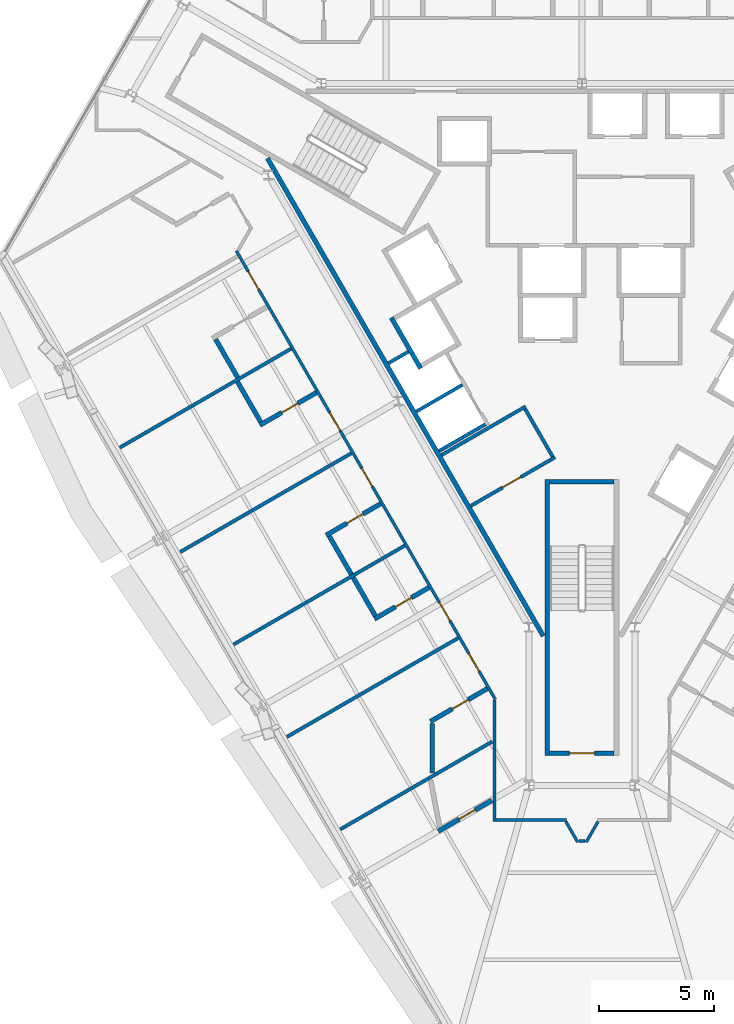
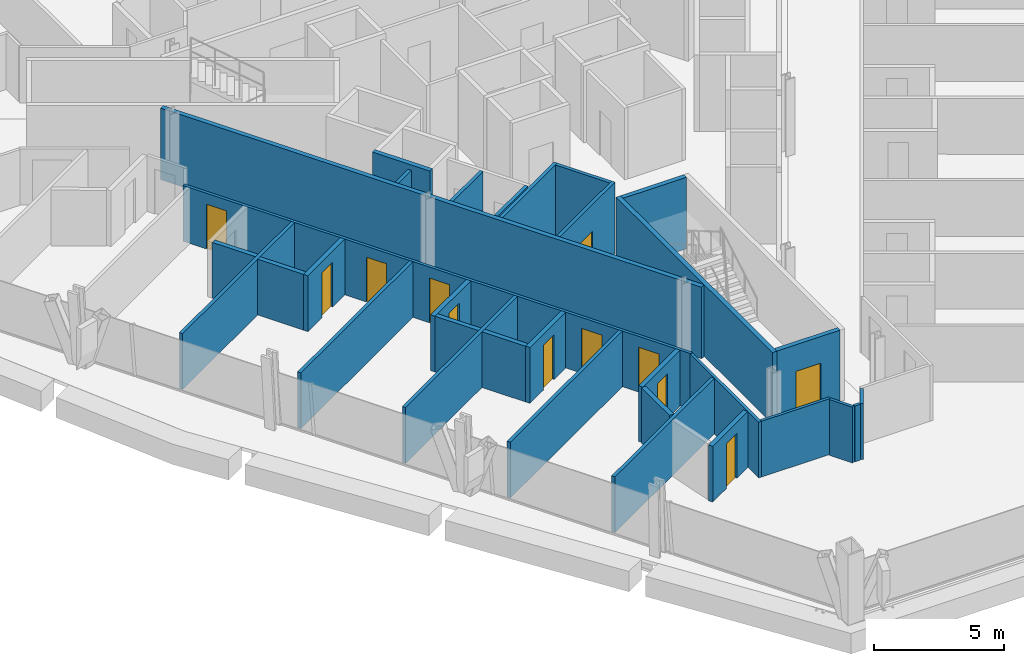
# One storey, part 10 of 17: 32 walls, 12 doors, 12 openings.
"""IFC4 building model written with IfcOpenShell, lengths in metres."""

from ifc_helpers import new_model, si_unit, direction, frame, frame_2d, origin, place, context, subcontext, project, spatial, rectangle, extrude, material, layer, layer_set, type_object, element, fill, save


model = new_model("IFC4")

# Units and contexts
model_context = context("Model", 3, precision=1e-05, world=origin(), true_north=direction((0.0, 1.0)))
body_context = subcontext(model_context, "Body", "Model", "MODEL_VIEW")
ifc_project = project(units=[si_unit("LENGTHUNIT", "METRE"), si_unit("AREAUNIT", "SQUARE_METRE"), si_unit("VOLUMEUNIT", "CUBIC_METRE"), si_unit("PLANEANGLEUNIT", "RADIAN"), si_unit("MASSUNIT", "GRAM", prefix="KILO")], contexts=[model_context])

# Site, building, storey
site_placement = place(None, origin())
site = spatial("IfcSite", under=ifc_project, at=site_placement, CompositionType="ELEMENT")
building_placement = place(site_placement, origin())
building = spatial("IfcBuilding", under=site, at=building_placement, Name="Verrane Prism Tower", CompositionType="ELEMENT")
storey_placement = place(building_placement, frame((0.0, 0.0, 62.0)))
storey = spatial("IfcBuildingStorey", under=building, at=storey_placement, Name="L13", CompositionType="ELEMENT", Elevation=62.0)

# Wall
ifc_material_1 = material(Name="Gypsum board partition", Category="other")
ifc_layer_1 = layer(ifc_material_1, 0.199951171875)
ifc_layer_set_1 = layer_set([ifc_layer_1], Name="CW-200 core boundary wall 2 h")
wall_type_1 = type_object("IfcWallType", Name="CW-200 core boundary wall 2 h", PredefinedType="PARTITIONING", material=ifc_layer_set_1)
wall_1_placement = place(storey_placement, frame((-13.66357421875, 5.946044921875, 0.0), z_axis=(0.0, 0.0, 1.0), x_axis=(0.499994327219, -0.866028678941, 0.0)))
element("IfcWall", 1, at=wall_1_placement, inside=storey, type_object=wall_type_1, Name="Core boundary wall CW3-001", PredefinedType="PARTITIONING", context=body_context, shape_type="SweptSolid", body=[
    extrude(rectangle(XDim=23.967529296875, YDim=0.199951171875, at=frame_2d((11.98388671875, 0.0))), origin(), (0.0, 0.0, 1.0), 3.35009765625),
])

# Wall, opening, door
ifc_material_2 = material(Name="Concrete C40/50", Category="concrete")
ifc_layer_2 = layer(ifc_material_2, 0.199951171875)
ifc_layer_set_2 = layer_set([ifc_layer_2], Name="CW-200 stair core wall concrete C40/50 3 h")
wall_type_2 = type_object("IfcWallType", Name="CW-200 stair core wall concrete C40/50 3 h", PredefinedType="PARTITIONING", material=ifc_layer_set_2)
wall_2_placement = place(storey_placement, frame((-1.39990234375, -19.89990234375, 0.0), z_axis=(0.0, 0.0, 1.0), x_axis=(1.0, 0.0, 0.0)))
wall_2 = element("IfcWall", 2, at=wall_2_placement, inside=storey, type_object=wall_type_2, Name="Stair 3 enclosure wall", PredefinedType="PARTITIONING", context=body_context, shape_type="SweptSolid", body=[
    extrude(rectangle(XDim=2.7998046875, YDim=0.199951171875, at=frame_2d((1.39990234375, 0.0))), origin(), (0.0, 0.0, 1.0), 3.35009765625),
])
opening_1_placement = place(wall_2_placement, frame((0.85009765625, 0.0, 0.0)))
opening_1 = element("IfcOpeningElement", 3, at=opening_1_placement, cuts=wall_2, Name="Opening D12502", PredefinedType="OPENING", context=body_context, shape_type="SweptSolid", body=[
    extrude(rectangle(XDim=1.10009765625, YDim=2.10009765625, at=frame_2d((0.550048828125, 1.050048828125))), frame((0.0, 0.10986328125, 0.0), z_axis=(0.0, -1.0, 0.0), x_axis=(1.0, 0.0, 0.0)), (0.0, 0.0, 1.0), 0.219970703125),
])
ifc_material_3 = material(Name="Timber veneered door leaf", Category="wood")
door_type_1 = type_object("IfcDoorType", Name="DR-1100x2100 FD90 single leaf stair", OperationType="NOTDEFINED", PredefinedType="DOOR", material=ifc_material_3)
door_1_placement = place(opening_1_placement, origin())
door_1 = element("IfcDoor", 4, at=door_1_placement, inside=storey, type_object=door_type_1, Name="Stair 3 door", OperationType="SINGLE_SWING_LEFT", OverallHeight=2.10009765625, OverallWidth=1.10009765625, PredefinedType="DOOR", context=body_context, shape_type="SweptSolid", body=[
    extrude(rectangle(XDim=1.10009765625, YDim=2.10009765625, at=frame_2d((0.550048828125, 1.050048828125))), frame((0.0, 0.02490234375, 0.0), z_axis=(0.0, -1.0, 0.0), x_axis=(1.0, 0.0, 0.0)), (0.0, 0.0, 1.0), 0.050048828125),
])
fill(opening_1, door_1)

# Walls
wall_3_placement = place(storey_placement, frame((-1.5, -8.0, 0.0), z_axis=(0.0, 0.0, 1.0), x_axis=(0.0, -1.0, 0.0)))
element("IfcWall", 5, at=wall_3_placement, inside=storey, type_object=wall_type_2, Name="Stair 3 enclosure wall", PredefinedType="PARTITIONING", context=body_context, shape_type="SweptSolid", body=[
    extrude(rectangle(XDim=12.0, YDim=0.199951171875, at=frame_2d((6.0, 0.0))), origin(), (0.0, 0.0, 1.0), 3.35009765625),
])
wall_4_placement = place(storey_placement, frame((-1.39990234375, -8.10009765625, 0.0), z_axis=(0.0, 0.0, 1.0), x_axis=(1.0, 0.0, 0.0)))
element("IfcWall", 6, at=wall_4_placement, inside=storey, type_object=wall_type_2, Name="Stair 3 enclosure wall", PredefinedType="PARTITIONING", context=body_context, shape_type="SweptSolid", body=[
    extrude(rectangle(XDim=2.7998046875, YDim=0.199951171875, at=frame_2d((1.39990234375, 0.0))), origin(), (0.0, 0.0, 1.0), 3.35009765625),
])
ifc_material_4 = material(Name="Gypsum board shaft wall assembly", Category="other")
ifc_layer_3 = layer(ifc_material_4, 0.199951171875)
ifc_layer_set_3 = layer_set([ifc_layer_3], Name="HW-200 lift shaft wall 2 h")
wall_type_3 = type_object("IfcWallType", Name="HW-200 lift shaft wall 2 h", PredefinedType="PARTITIONING", material=ifc_layer_set_3)
wall_5_placement = place(storey_placement, frame((-7.00634765625, -3.184814453125, 0.0), z_axis=(0.0, 0.0, 1.0), x_axis=(-0.499990435942, 0.866030925526, 0.0)))
element("IfcWall", 7, at=wall_5_placement, inside=storey, type_object=wall_type_3, Name="Lift shaft wall", PredefinedType="PARTITIONING", context=body_context, shape_type="SweptSolid", body=[
    extrude(rectangle(XDim=2.5498046875, YDim=0.199951171875, at=frame_2d((1.27490234375, 0.0))), origin(), (0.0, 0.0, 1.0), 3.60009765625),
])

# Wall, openings, doors
ifc_material_5 = material(Name="Gypsum board partition", Category="other")
ifc_layer_4 = layer(ifc_material_5, 0.125)
ifc_layer_set_4 = layer_set([ifc_layer_4], Name="PW-125 corridor wall 1 h")
wall_type_4 = type_object("IfcWallType", Name="PW-125 corridor wall 1 h", PredefinedType="PARTITIONING", material=ifc_layer_set_4)
wall_6_placement = place(storey_placement, frame((-3.765869140625, -17.55810546875, 0.0), z_axis=(0.0, 0.0, 1.0), x_axis=(-0.500008349927, 0.866020582898, 0.0)))
wall_6 = element("IfcWall", 8, at=wall_6_placement, inside=storey, type_object=wall_type_4, Name="Corridor wall 019", PredefinedType="PARTITIONING", context=body_context, shape_type="SweptSolid", body=[
    extrude(rectangle(XDim=22.49609375, YDim=0.125, at=frame_2d((11.248046875, 0.0))), origin(), (0.0, 0.0, 1.0), 2.613037109375),
])
opening_2_placement = place(wall_6_placement, frame((20.56298828125, 0.0, 0.0)))
opening_2 = element("IfcOpeningElement", 9, at=opening_2_placement, cuts=wall_6, Name="Opening D12018", PredefinedType="OPENING", context=body_context, shape_type="SweptSolid", body=[
    extrude(rectangle(XDim=0.89990234375, YDim=2.10009765625, at=frame_2d((0.449951171875, 1.050048828125))), frame((0.0, 0.072509765625, 0.0), z_axis=(0.0, -1.0, 0.0), x_axis=(1.0, 0.0, 0.0)), (0.0, 0.0, 1.0), 0.14501953125),
])
opening_3_placement = place(wall_6_placement, frame((13.475830078125, 0.0, 0.0)))
opening_3 = element("IfcOpeningElement", 10, at=opening_3_placement, cuts=wall_6, Name="Opening D12020", PredefinedType="OPENING", context=body_context, shape_type="SweptSolid", body=[
    extrude(rectangle(XDim=0.89990234375, YDim=2.10009765625, at=frame_2d((0.449951171875, 1.050048828125))), frame((0.0, 0.072509765625, 0.0), z_axis=(0.0, -1.0, 0.0), x_axis=(1.0, 0.0, 0.0)), (0.0, 0.0, 1.0), 0.14501953125),
])
opening_4_placement = place(wall_6_placement, frame((10.683837890625, 0.0, 0.0)))
opening_4 = element("IfcOpeningElement", 11, at=opening_4_placement, cuts=wall_6, Name="Opening D12022", PredefinedType="OPENING", context=body_context, shape_type="SweptSolid", body=[
    extrude(rectangle(XDim=0.89990234375, YDim=2.10009765625, at=frame_2d((0.449951171875, 1.050048828125))), frame((0.0, 0.072509765625, 0.0), z_axis=(0.0, -1.0, 0.0), x_axis=(1.0, 0.0, 0.0)), (0.0, 0.0, 1.0), 0.14501953125),
])
opening_5_placement = place(wall_6_placement, frame((3.947998046875, 0.0, 0.0)))
opening_5 = element("IfcOpeningElement", 12, at=opening_5_placement, cuts=wall_6, Name="Opening D12024", PredefinedType="OPENING", context=body_context, shape_type="SweptSolid", body=[
    extrude(rectangle(XDim=0.89990234375, YDim=2.10009765625, at=frame_2d((0.449951171875, 1.050048828125))), frame((0.0, 0.072509765625, 0.0), z_axis=(0.0, -1.0, 0.0), x_axis=(1.0, 0.0, 0.0)), (0.0, 0.0, 1.0), 0.14501953125),
])
opening_6_placement = place(wall_6_placement, frame((1.410888671875, 0.0, 0.0)))
opening_6 = element("IfcOpeningElement", 13, at=opening_6_placement, cuts=wall_6, Name="Opening D12026", PredefinedType="OPENING", context=body_context, shape_type="SweptSolid", body=[
    extrude(rectangle(XDim=0.89990234375, YDim=2.10009765625, at=frame_2d((0.449951171875, 1.050048828125))), frame((0.0, 0.072509765625, 0.0), z_axis=(0.0, -1.0, 0.0), x_axis=(1.0, 0.0, 0.0)), (0.0, 0.0, 1.0), 0.14501953125),
])
ifc_material_6 = material(Name="Timber veneered door leaf", Category="wood")
door_type_2 = type_object("IfcDoorType", Name="DR-900x2100 FD20 single leaf unit", OperationType="NOTDEFINED", PredefinedType="DOOR", material=ifc_material_6)
door_2_placement = place(opening_2_placement, origin())
door_2 = element("IfcDoor", 14, at=door_2_placement, inside=storey, type_object=door_type_2, Name="Guest Room door", OperationType="SINGLE_SWING_LEFT", OverallHeight=2.10009765625, OverallWidth=0.89990234375, PredefinedType="DOOR", context=body_context, shape_type="SweptSolid", body=[
    extrude(rectangle(XDim=0.89990234375, YDim=2.10009765625, at=frame_2d((0.449951171875, 1.050048828125))), frame((0.0, 0.02490234375, 0.0), z_axis=(0.0, -1.0, 0.0), x_axis=(1.0, 0.0, 0.0)), (0.0, 0.0, 1.0), 0.050048828125),
])
fill(opening_2, door_2)
door_3_placement = place(opening_3_placement, origin())
door_3 = element("IfcDoor", 15, at=door_3_placement, inside=storey, type_object=door_type_2, Name="Guest Room door", OperationType="SINGLE_SWING_LEFT", OverallHeight=2.10009765625, OverallWidth=0.89990234375, PredefinedType="DOOR", context=body_context, shape_type="SweptSolid", body=[
    extrude(rectangle(XDim=0.89990234375, YDim=2.10009765625, at=frame_2d((0.449951171875, 1.050048828125))), frame((0.0, 0.02490234375, 0.0), z_axis=(0.0, -1.0, 0.0), x_axis=(1.0, 0.0, 0.0)), (0.0, 0.0, 1.0), 0.050048828125),
])
fill(opening_3, door_3)
door_4_placement = place(opening_4_placement, origin())
door_4 = element("IfcDoor", 16, at=door_4_placement, inside=storey, type_object=door_type_2, Name="Guest Room door", OperationType="SINGLE_SWING_LEFT", OverallHeight=2.10009765625, OverallWidth=0.89990234375, PredefinedType="DOOR", context=body_context, shape_type="SweptSolid", body=[
    extrude(rectangle(XDim=0.89990234375, YDim=2.10009765625, at=frame_2d((0.449951171875, 1.050048828125))), frame((0.0, 0.02490234375, 0.0), z_axis=(0.0, -1.0, 0.0), x_axis=(1.0, 0.0, 0.0)), (0.0, 0.0, 1.0), 0.050048828125),
])
fill(opening_4, door_4)
door_5_placement = place(opening_5_placement, origin())
door_5 = element("IfcDoor", 17, at=door_5_placement, inside=storey, type_object=door_type_2, Name="Guest Room door", OperationType="SINGLE_SWING_LEFT", OverallHeight=2.10009765625, OverallWidth=0.89990234375, PredefinedType="DOOR", context=body_context, shape_type="SweptSolid", body=[
    extrude(rectangle(XDim=0.89990234375, YDim=2.10009765625, at=frame_2d((0.449951171875, 1.050048828125))), frame((0.0, 0.02490234375, 0.0), z_axis=(0.0, -1.0, 0.0), x_axis=(1.0, 0.0, 0.0)), (0.0, 0.0, 1.0), 0.050048828125),
])
fill(opening_5, door_5)
door_6_placement = place(opening_6_placement, origin())
door_6 = element("IfcDoor", 18, at=door_6_placement, inside=storey, type_object=door_type_2, Name="Guest Room door", OperationType="SINGLE_SWING_LEFT", OverallHeight=2.10009765625, OverallWidth=0.89990234375, PredefinedType="DOOR", context=body_context, shape_type="SweptSolid", body=[
    extrude(rectangle(XDim=0.89990234375, YDim=2.10009765625, at=frame_2d((0.449951171875, 1.050048828125))), frame((0.0, 0.02490234375, 0.0), z_axis=(0.0, -1.0, 0.0), x_axis=(1.0, 0.0, 0.0)), (0.0, 0.0, 1.0), 0.050048828125),
])
fill(opening_6, door_6)

# Walls
wall_7_placement = place(storey_placement, frame((-3.797119140625, -22.859619140625, 0.0), z_axis=(0.0, 0.0, 1.0), x_axis=(0.0, 1.0, 0.0)))
element("IfcWall", 19, at=wall_7_placement, inside=storey, type_object=wall_type_4, Name="Corridor wall 041", PredefinedType="PARTITIONING", context=body_context, shape_type="SweptSolid", body=[
    extrude(rectangle(XDim=5.2705078125, YDim=0.125, at=frame_2d((2.63525390625, 0.0))), origin(), (0.0, 0.0, 1.0), 2.613037109375),
])
wall_8_placement = place(storey_placement, frame((-3.73193359375, -22.797119140625, 0.0), z_axis=(0.0, 0.0, 1.0), x_axis=(1.0, 0.0, 0.0)))
element("IfcWall", 20, at=wall_8_placement, inside=storey, type_object=wall_type_4, Name="Corridor wall 042", PredefinedType="PARTITIONING", context=body_context, shape_type="SweptSolid", body=[
    extrude(rectangle(XDim=3.053466796875, YDim=0.125, at=frame_2d((1.52685546875, 0.0))), origin(), (0.0, 0.0, 1.0), 2.613037109375),
])
wall_9_placement = place(storey_placement, frame((-0.698486328125, -22.87060546875, 0.0), z_axis=(0.0, 0.0, 1.0), x_axis=(0.499202016691, -0.866485629732, 0.0)))
element("IfcWall", 21, at=wall_9_placement, inside=storey, type_object=wall_type_4, Name="Corridor wall 045", PredefinedType="PARTITIONING", context=body_context, shape_type="SweptSolid", body=[
    extrude(rectangle(XDim=1.029052734375, YDim=0.125, at=frame_2d((0.5146484375, 0.0))), origin(), (0.0, 0.0, 1.0), 2.613037109375),
])
wall_10_placement = place(storey_placement, frame((-0.131103515625, -23.7080078125, 0.0), z_axis=(0.0, 0.0, 1.0), x_axis=(1.0, 0.0, 0.0)))
element("IfcWall", 22, at=wall_10_placement, inside=storey, type_object=wall_type_4, Name="Corridor wall 046", PredefinedType="PARTITIONING", context=body_context, shape_type="SweptSolid", body=[
    extrude(rectangle(XDim=0.26220703125, YDim=0.125, at=frame_2d((0.131103515625, 0.0))), origin(), (0.0, 0.0, 1.0), 2.613037109375),
])
wall_11_placement = place(storey_placement, frame((0.184814453125, -23.76220703125, 0.0), z_axis=(0.0, 0.0, 1.0), x_axis=(0.499914057068, 0.866075017274, 0.0)))
element("IfcWall", 23, at=wall_11_placement, inside=storey, type_object=wall_type_4, Name="Corridor wall 047", PredefinedType="PARTITIONING", context=body_context, shape_type="SweptSolid", body=[
    extrude(rectangle(XDim=1.029541015625, YDim=0.125, at=frame_2d((0.5146484375, 0.0))), origin(), (0.0, 0.0, 1.0), 2.613037109375),
])
ifc_material_7 = material(Name="Gypsum board partition", Category="other")
ifc_layer_5 = layer(ifc_material_7, 0.14990234375)
ifc_layer_set_5 = layer_set([ifc_layer_5], Name="PW-150 demising wall 1 h")
wall_type_5 = type_object("IfcWallType", Name="PW-150 demising wall 1 h", PredefinedType="PARTITIONING", material=ifc_layer_set_5)
wall_12_placement = place(storey_placement, frame((-20.073486328125, -6.620849609375, 0.0), z_axis=(0.0, 0.0, 1.0), x_axis=(0.866029425019, 0.499993034952, 0.0)))
element("IfcWall", 24, at=wall_12_placement, inside=storey, type_object=wall_type_5, Name="Demising wall 005", PredefinedType="PARTITIONING", context=body_context, shape_type="SweptSolid", body=[
    extrude(rectangle(XDim=8.59130859375, YDim=0.14990234375, at=frame_2d((4.295654296875, 0.0))), origin(), (0.0, 0.0, 1.0), 2.613037109375),
])
wall_13_placement = place(storey_placement, frame((-17.45263671875, -11.159912109375, 0.0), z_axis=(0.0, 0.0, 1.0), x_axis=(0.866031705461, 0.499989085017, 0.0)))
element("IfcWall", 25, at=wall_13_placement, inside=storey, type_object=wall_type_5, Name="Demising wall 010", PredefinedType="PARTITIONING", context=body_context, shape_type="SweptSolid", body=[
    extrude(rectangle(XDim=8.586669921875, YDim=0.14990234375, at=frame_2d((4.29345703125, 0.0))), origin(), (0.0, 0.0, 1.0), 2.613037109375),
])
wall_14_placement = place(storey_placement, frame((-15.134765625, -15.175048828125, 0.0), z_axis=(0.0, 0.0, 1.0), x_axis=(0.866024224461, 0.500002042643, 0.0)))
element("IfcWall", 26, at=wall_14_placement, inside=storey, type_object=wall_type_5, Name="Demising wall 016", PredefinedType="PARTITIONING", context=body_context, shape_type="SweptSolid", body=[
    extrude(rectangle(XDim=8.591796875, YDim=0.14990234375, at=frame_2d((4.2958984375, 0.0))), origin(), (0.0, 0.0, 1.0), 2.613037109375),
])
wall_15_placement = place(storey_placement, frame((-12.81640625, -19.190673828125, 0.0), z_axis=(0.0, 0.0, 1.0), x_axis=(0.866034625887, 0.499984026509, 0.0)))
element("IfcWall", 27, at=wall_15_placement, inside=storey, type_object=wall_type_5, Name="Demising wall 022", PredefinedType="PARTITIONING", context=body_context, shape_type="SweptSolid", body=[
    extrude(rectangle(XDim=8.591064453125, YDim=0.14990234375, at=frame_2d((4.29541015625, 0.0))), origin(), (0.0, 0.0, 1.0), 2.613037109375),
])
wall_16_placement = place(storey_placement, frame((-10.498046875, -23.206298828125, 0.0), z_axis=(0.0, 0.0, 1.0), x_axis=(0.866003165052, 0.500038516636, 0.0)))
element("IfcWall", 28, at=wall_16_placement, inside=storey, type_object=wall_type_5, Name="Demising wall 028", PredefinedType="PARTITIONING", context=body_context, shape_type="SweptSolid", body=[
    extrude(rectangle(XDim=7.62255859375, YDim=0.14990234375, at=frame_2d((3.811279296875, 0.0))), origin(), (0.0, 0.0, 1.0), 2.613037109375),
])
ifc_material_8 = material(Name="Gypsum board partition", Category="other")
ifc_layer_6 = layer(ifc_material_8, 0.199951171875)
ifc_layer_set_6 = layer_set([ifc_layer_6], Name="PW-200 plumbing wall")
wall_type_6 = type_object("IfcWallType", Name="PW-200 plumbing wall", PredefinedType="PARTITIONING", material=ifc_layer_set_6)
wall_17_placement = place(storey_placement, frame((-15.9169921875, -1.91162109375, 0.0), z_axis=(0.0, 0.0, 1.0), x_axis=(0.499913221443, -0.866075499611, 0.0)))
element("IfcWall", 29, at=wall_17_placement, inside=storey, type_object=wall_type_6, Name="Plumbing wall 011", PredefinedType="PARTITIONING", context=body_context, shape_type="SweptSolid", body=[
    extrude(rectangle(XDim=1.920166015625, YDim=0.199951171875, at=frame_2d((0.9599609375, 0.0))), origin(), (0.0, 0.0, 1.0), 2.613037109375),
])
wall_18_placement = place(storey_placement, frame((-14.966552734375, -3.759033203125, 0.0), z_axis=(0.0, 0.0, 1.0), x_axis=(0.500042536776, -0.866000843773, 0.0)))
element("IfcWall", 30, at=wall_18_placement, inside=storey, type_object=wall_type_6, Name="Plumbing wall 017", PredefinedType="PARTITIONING", context=body_context, shape_type="SweptSolid", body=[
    extrude(rectangle(XDim=2.024658203125, YDim=0.199951171875, at=frame_2d((1.01220703125, 0.0))), origin(), (0.0, 0.0, 1.0), 2.613037109375),
])

# Wall, opening, door
wall_19_placement = place(storey_placement, frame((-13.99072265625, -5.64892578125, 0.0), z_axis=(0.0, 0.0, 1.0), x_axis=(0.866048046904, 0.499960778915, 0.0)))
wall_19 = element("IfcWall", 31, at=wall_19_placement, inside=storey, type_object=wall_type_6, Name="Plumbing wall 020", PredefinedType="PARTITIONING", context=body_context, shape_type="SweptSolid", body=[
    extrude(rectangle(XDim=2.837646484375, YDim=0.199951171875, at=frame_2d((1.4189453125, 0.0))), origin(), (0.0, 0.0, 1.0), 2.613037109375),
])
opening_7_placement = place(wall_19_placement, frame((1.10009765625, 0.0, 0.0)))
opening_7 = element("IfcOpeningElement", 32, at=opening_7_placement, cuts=wall_19, Name="Opening D12021", PredefinedType="OPENING", context=body_context, shape_type="SweptSolid", body=[
    extrude(rectangle(XDim=0.800048828125, YDim=2.10009765625, at=frame_2d((0.39990234375, 1.050048828125))), frame((0.0, 0.10986328125, 0.0), z_axis=(0.0, -1.0, 0.0), x_axis=(1.0, 0.0, 0.0)), (0.0, 0.0, 1.0), 0.219970703125),
])
ifc_material_9 = material(Name="Timber veneered door leaf", Category="wood")
door_type_3 = type_object("IfcDoorType", Name="DR-800x2100 single leaf bath", OperationType="NOTDEFINED", PredefinedType="DOOR", material=ifc_material_9)
door_7_placement = place(opening_7_placement, origin())
door_7 = element("IfcDoor", 33, at=door_7_placement, inside=storey, type_object=door_type_3, Name="En-Suite door", OperationType="SINGLE_SWING_LEFT", OverallHeight=2.10009765625, OverallWidth=0.800048828125, PredefinedType="DOOR", context=body_context, shape_type="SweptSolid", body=[
    extrude(rectangle(XDim=0.800048828125, YDim=2.10009765625, at=frame_2d((0.39990234375, 1.050048828125))), frame((0.0, 0.02490234375, 0.0), z_axis=(0.0, -1.0, 0.0), x_axis=(1.0, 0.0, 0.0)), (0.0, 0.0, 1.0), 0.050048828125),
])
fill(opening_7, door_7)

# Wall
wall_20_placement = place(storey_placement, frame((-10.97802734375, -10.466552734375, 0.0), z_axis=(0.0, 0.0, 1.0), x_axis=(0.499832553123, -0.866122057702, 0.0)))
element("IfcWall", 34, at=wall_20_placement, inside=storey, type_object=wall_type_6, Name="Plumbing wall 026", PredefinedType="PARTITIONING", context=body_context, shape_type="SweptSolid", body=[
    extrude(rectangle(XDim=1.919677734375, YDim=0.199951171875, at=frame_2d((0.9599609375, 0.0))), origin(), (0.0, 0.0, 1.0), 2.613037109375),
])

# Wall, opening, door
wall_21_placement = place(storey_placement, frame((-8.744140625, -9.061279296875, 0.0), z_axis=(0.0, 0.0, 1.0), x_axis=(-0.866005850709, -0.50003386539, 0.0)))
wall_21 = element("IfcWall", 35, at=wall_21_placement, inside=storey, type_object=wall_type_6, Name="Plumbing wall 027", PredefinedType="PARTITIONING", context=body_context, shape_type="SweptSolid", body=[
    extrude(rectangle(XDim=2.737060546875, YDim=0.199951171875, at=frame_2d((1.36865234375, 0.0))), origin(), (0.0, 0.0, 1.0), 2.613037109375),
])
opening_8_placement = place(wall_21_placement, frame((0.88720703125, 0.0, 0.0)))
opening_8 = element("IfcOpeningElement", 36, at=opening_8_placement, cuts=wall_21, Name="Opening D12023", PredefinedType="OPENING", context=body_context, shape_type="SweptSolid", body=[
    extrude(rectangle(XDim=0.800048828125, YDim=2.10009765625, at=frame_2d((0.39990234375, 1.050048828125))), frame((0.0, 0.10986328125, 0.0), z_axis=(0.0, -1.0, 0.0), x_axis=(1.0, 0.0, 0.0)), (0.0, 0.0, 1.0), 0.219970703125),
])
door_8_placement = place(opening_8_placement, origin())
door_8 = element("IfcDoor", 37, at=door_8_placement, inside=storey, type_object=door_type_3, Name="En-Suite door", OperationType="SINGLE_SWING_RIGHT", OverallHeight=2.10009765625, OverallWidth=0.800048828125, PredefinedType="DOOR", context=body_context, shape_type="SweptSolid", body=[
    extrude(rectangle(XDim=0.800048828125, YDim=2.10009765625, at=frame_2d((0.39990234375, 1.050048828125))), frame((0.0, 0.02490234375, 0.0), z_axis=(0.0, -1.0, 0.0), x_axis=(1.0, 0.0, 0.0)), (0.0, 0.0, 1.0), 0.050048828125),
])
fill(opening_8, door_8)

# Wall
wall_22_placement = place(storey_placement, frame((-9.9384765625, -12.26806640625, 0.0), z_axis=(0.0, 0.0, 1.0), x_axis=(0.500269123289, -0.865869969617, 0.0)))
element("IfcWall", 38, at=wall_22_placement, inside=storey, type_object=wall_type_6, Name="Plumbing wall 029", PredefinedType="PARTITIONING", context=body_context, shape_type="SweptSolid", body=[
    extrude(rectangle(XDim=1.919921875, YDim=0.199951171875, at=frame_2d((0.9599609375, 0.0))), origin(), (0.0, 0.0, 1.0), 2.613037109375),
])

# Wall, opening, door
wall_23_placement = place(storey_placement, frame((-9.0146484375, -14.06689453125, 0.0), z_axis=(0.0, 0.0, 1.0), x_axis=(0.866028150195, 0.499995243048, 0.0)))
wall_23 = element("IfcWall", 39, at=wall_23_placement, inside=storey, type_object=wall_type_6, Name="Plumbing wall 034", PredefinedType="PARTITIONING", context=body_context, shape_type="SweptSolid", body=[
    extrude(rectangle(XDim=2.7373046875, YDim=0.199951171875, at=frame_2d((1.36865234375, 0.0))), origin(), (0.0, 0.0, 1.0), 2.613037109375),
])
opening_9_placement = place(wall_23_placement, frame((1.050048828125, 0.0, 0.0)))
opening_9 = element("IfcOpeningElement", 40, at=opening_9_placement, cuts=wall_23, Name="Opening D12025", PredefinedType="OPENING", context=body_context, shape_type="SweptSolid", body=[
    extrude(rectangle(XDim=0.800048828125, YDim=2.10009765625, at=frame_2d((0.39990234375, 1.050048828125))), frame((0.0, 0.10986328125, 0.0), z_axis=(0.0, -1.0, 0.0), x_axis=(1.0, 0.0, 0.0)), (0.0, 0.0, 1.0), 0.219970703125),
])
door_9_placement = place(opening_9_placement, origin())
door_9 = element("IfcDoor", 41, at=door_9_placement, inside=storey, type_object=door_type_3, Name="En-Suite door", OperationType="SINGLE_SWING_LEFT", OverallHeight=2.10009765625, OverallWidth=0.800048828125, PredefinedType="DOOR", context=body_context, shape_type="SweptSolid", body=[
    extrude(rectangle(XDim=0.800048828125, YDim=2.10009765625, at=frame_2d((0.39990234375, 1.050048828125))), frame((0.0, 0.02490234375, 0.0), z_axis=(0.0, -1.0, 0.0), x_axis=(1.0, 0.0, 0.0)), (0.0, 0.0, 1.0), 0.050048828125),
])
fill(opening_9, door_9)

# Wall
wall_24_placement = place(storey_placement, frame((-6.4970703125, -20.751708984375, 0.0), z_axis=(0.0, 0.0, 1.0), x_axis=(0.0, 1.0, 0.0)))
element("IfcWall", 42, at=wall_24_placement, inside=storey, type_object=wall_type_6, Name="Plumbing wall 037", PredefinedType="PARTITIONING", context=body_context, shape_type="SweptSolid", body=[
    extrude(rectangle(XDim=2.145751953125, YDim=0.199951171875, at=frame_2d((1.07275390625, 0.0))), origin(), (0.0, 0.0, 1.0), 2.613037109375),
])

# Wall, opening, door
wall_25_placement = place(storey_placement, frame((-4.108154296875, -17.09130859375, 0.0), z_axis=(0.0, 0.0, 1.0), x_axis=(-0.865942343511, -0.500143837025, 0.0)))
wall_25 = element("IfcWall", 43, at=wall_25_placement, inside=storey, type_object=wall_type_6, Name="Plumbing wall 038", PredefinedType="PARTITIONING", context=body_context, shape_type="SweptSolid", body=[
    extrude(rectangle(XDim=2.858642578125, YDim=0.199951171875, at=frame_2d((1.42919921875, 0.0))), origin(), (0.0, 0.0, 1.0), 2.613037109375),
])
opening_10_placement = place(wall_25_placement, frame((0.958740234375, 0.0, 0.0)))
opening_10 = element("IfcOpeningElement", 44, at=opening_10_placement, cuts=wall_25, Name="Opening D12027", PredefinedType="OPENING", context=body_context, shape_type="SweptSolid", body=[
    extrude(rectangle(XDim=0.800048828125, YDim=2.10009765625, at=frame_2d((0.39990234375, 1.050048828125))), frame((0.0, 0.10986328125, 0.0), z_axis=(0.0, -1.0, 0.0), x_axis=(1.0, 0.0, 0.0)), (0.0, 0.0, 1.0), 0.219970703125),
])
door_10_placement = place(opening_10_placement, origin())
door_10 = element("IfcDoor", 45, at=door_10_placement, inside=storey, type_object=door_type_3, Name="En-Suite door", OperationType="SINGLE_SWING_RIGHT", OverallHeight=2.10009765625, OverallWidth=0.800048828125, PredefinedType="DOOR", context=body_context, shape_type="SweptSolid", body=[
    extrude(rectangle(XDim=0.800048828125, YDim=2.10009765625, at=frame_2d((0.39990234375, 1.050048828125))), frame((0.0, 0.02490234375, 0.0), z_axis=(0.0, -1.0, 0.0), x_axis=(1.0, 0.0, 0.0)), (0.0, 0.0, 1.0), 0.050048828125),
])
fill(opening_10, door_10)

wall_26_placement = place(storey_placement, frame((-6.24267578125, -23.2890625, 0.0), z_axis=(0.0, 0.0, 1.0), x_axis=(0.866172005986, 0.499745991525, 0.0)))
wall_26 = element("IfcWall", 46, at=wall_26_placement, inside=storey, type_object=wall_type_6, Name="Plumbing wall 039", PredefinedType="PARTITIONING", context=body_context, shape_type="SweptSolid", body=[
    extrude(rectangle(XDim=2.69384765625, YDim=0.199951171875, at=frame_2d((1.346923828125, 0.0))), origin(), (0.0, 0.0, 1.0), 2.613037109375),
])
opening_11_placement = place(wall_26_placement, frame((1.050048828125, 0.0, 0.0)))
opening_11 = element("IfcOpeningElement", 47, at=opening_11_placement, cuts=wall_26, Name="Opening D12029", PredefinedType="OPENING", context=body_context, shape_type="SweptSolid", body=[
    extrude(rectangle(XDim=0.800048828125, YDim=2.10009765625, at=frame_2d((0.39990234375, 1.050048828125))), frame((0.0, 0.10986328125, 0.0), z_axis=(0.0, -1.0, 0.0), x_axis=(1.0, 0.0, 0.0)), (0.0, 0.0, 1.0), 0.219970703125),
])
door_11_placement = place(opening_11_placement, origin())
door_11 = element("IfcDoor", 48, at=door_11_placement, inside=storey, type_object=door_type_3, Name="En-Suite door", OperationType="SINGLE_SWING_LEFT", OverallHeight=2.10009765625, OverallWidth=0.800048828125, PredefinedType="DOOR", context=body_context, shape_type="SweptSolid", body=[
    extrude(rectangle(XDim=0.800048828125, YDim=2.10009765625, at=frame_2d((0.39990234375, 1.050048828125))), frame((0.0, 0.02490234375, 0.0), z_axis=(0.0, -1.0, 0.0), x_axis=(1.0, 0.0, 0.0)), (0.0, 0.0, 1.0), 0.050048828125),
])
fill(opening_11, door_11)

# Walls
ifc_material_10 = material(Name="Gypsum board partition", Category="other")
ifc_layer_7 = layer(ifc_material_10, 0.14990234375)
ifc_layer_set_7 = layer_set([ifc_layer_7], Name="RS-150 riser enclosure wall 1 h")
wall_type_7 = type_object("IfcWallType", Name="RS-150 riser enclosure wall 1 h", PredefinedType="PARTITIONING", material=ifc_layer_set_7)
wall_27_placement = place(storey_placement, frame((-8.402099609375, -2.95751953125, 0.0), z_axis=(0.0, 0.0, 1.0), x_axis=(0.866025935826, 0.499999078476, 0.0)))
element("IfcWall", 49, at=wall_27_placement, inside=storey, type_object=wall_type_7, Name="Riser wall RS3-001", PredefinedType="PARTITIONING", context=body_context, shape_type="SweptSolid", body=[
    extrude(rectangle(XDim=0.9931640625, YDim=0.14990234375, at=frame_2d((0.49658203125, 0.0))), origin(), (0.0, 0.0, 1.0), 3.35009765625),
])
wall_28_placement = place(storey_placement, frame((-7.192138671875, -5.053466796875, 0.0), z_axis=(0.0, 0.0, 1.0), x_axis=(0.865851878631, 0.500300434011, 0.0)))
element("IfcWall", 50, at=wall_28_placement, inside=storey, type_object=wall_type_7, Name="Riser wall RS3-002", PredefinedType="PARTITIONING", context=body_context, shape_type="SweptSolid", body=[
    extrude(rectangle(XDim=2.3154296875, YDim=0.14990234375, at=frame_2d((1.15771484375, 0.0))), origin(), (0.0, 0.0, 1.0), 3.35009765625),
])
wall_29_placement = place(storey_placement, frame((-6.206298828125, -6.77001953125, 0.0), z_axis=(0.0, 0.0, 1.0), x_axis=(0.865998469481, 0.500046648681, 0.0)))
element("IfcWall", 51, at=wall_29_placement, inside=storey, type_object=wall_type_7, Name="Riser wall RS3-003", PredefinedType="PARTITIONING", context=body_context, shape_type="SweptSolid", body=[
    extrude(rectangle(XDim=2.324951171875, YDim=0.14990234375, at=frame_2d((1.16259765625, 0.0))), origin(), (0.0, 0.0, 1.0), 3.35009765625),
])
wall_30_placement = place(storey_placement, frame((-6.10009765625, -6.945556640625, 0.0), z_axis=(0.0, 0.0, 1.0), x_axis=(0.866038200431, 0.499977834903, 0.0)))
element("IfcWall", 52, at=wall_30_placement, inside=storey, type_object=wall_type_7, Name="Riser wall RS3-004", PredefinedType="PARTITIONING", context=body_context, shape_type="SweptSolid", body=[
    extrude(rectangle(XDim=4.220458984375, YDim=0.14990234375, at=frame_2d((2.1103515625, 0.0))), origin(), (0.0, 0.0, 1.0), 3.35009765625),
])

# Wall, opening, door
wall_31_placement = place(storey_placement, frame((-4.824951171875, -9.153564453125, 0.0), z_axis=(0.0, 0.0, 1.0), x_axis=(0.866023738697, 0.500002884005, 0.0)))
wall_31 = element("IfcWall", 53, at=wall_31_placement, inside=storey, type_object=wall_type_7, Name="Riser wall RS3-006", PredefinedType="PARTITIONING", context=body_context, shape_type="SweptSolid", body=[
    extrude(rectangle(XDim=4.22021484375, YDim=0.14990234375, at=frame_2d((2.110107421875, 0.0))), origin(), (0.0, 0.0, 1.0), 3.35009765625),
])
opening_12_placement = place(wall_31_placement, frame((1.594970703125, 0.0, 0.0)))
opening_12 = element("IfcOpeningElement", 54, at=opening_12_placement, cuts=wall_31, Name="Opening D12514", PredefinedType="OPENING", context=body_context, shape_type="SweptSolid", body=[
    extrude(rectangle(XDim=0.89990234375, YDim=2.10009765625, at=frame_2d((0.449951171875, 1.050048828125))), frame((0.0, 0.0849609375, 0.0), z_axis=(0.0, -1.0, 0.0), x_axis=(1.0, 0.0, 0.0)), (0.0, 0.0, 1.0), 0.169921875),
])
ifc_material_11 = material(Name="Timber veneered door leaf", Category="wood")
door_type_4 = type_object("IfcDoorType", Name="DR-900x2100 FD20 single leaf store", OperationType="NOTDEFINED", PredefinedType="DOOR", material=ifc_material_11)
door_12_placement = place(opening_12_placement, origin())
door_12 = element("IfcDoor", 55, at=door_12_placement, inside=storey, type_object=door_type_4, Name="Room door D12514", OperationType="SINGLE_SWING_LEFT", OverallHeight=2.10009765625, OverallWidth=0.89990234375, PredefinedType="DOOR", context=body_context, shape_type="SweptSolid", body=[
    extrude(rectangle(XDim=0.89990234375, YDim=2.10009765625, at=frame_2d((0.449951171875, 1.050048828125))), frame((0.0, 0.02490234375, 0.0), z_axis=(0.0, -1.0, 0.0), x_axis=(1.0, 0.0, 0.0)), (0.0, 0.0, 1.0), 0.050048828125),
])
fill(opening_12, door_12)

# Wall
wall_32_placement = place(storey_placement, frame((-2.472412109375, -4.93798828125, 0.0), z_axis=(0.0, 0.0, 1.0), x_axis=(0.500045362686, -0.865999212041, 0.0)))
element("IfcWall", 56, at=wall_32_placement, inside=storey, type_object=wall_type_7, Name="Riser wall RS3-007", PredefinedType="PARTITIONING", context=body_context, shape_type="SweptSolid", body=[
    extrude(rectangle(XDim=2.399658203125, YDim=0.14990234375, at=frame_2d((1.19970703125, 0.0))), origin(), (0.0, 0.0, 1.0), 3.35009765625),
])

save(model, "model.ifc")
